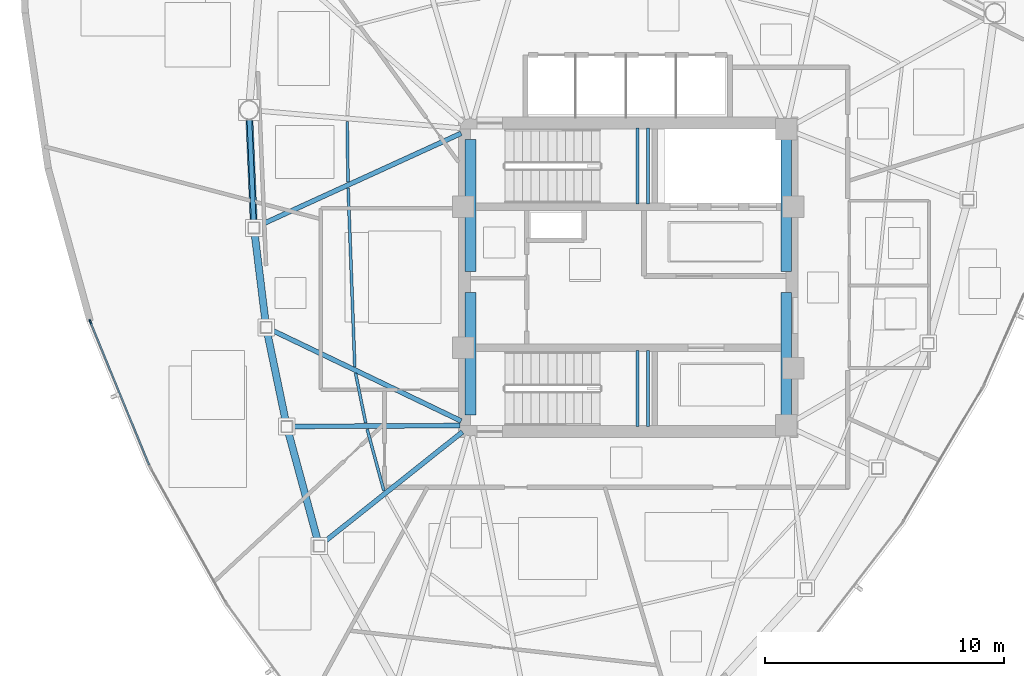
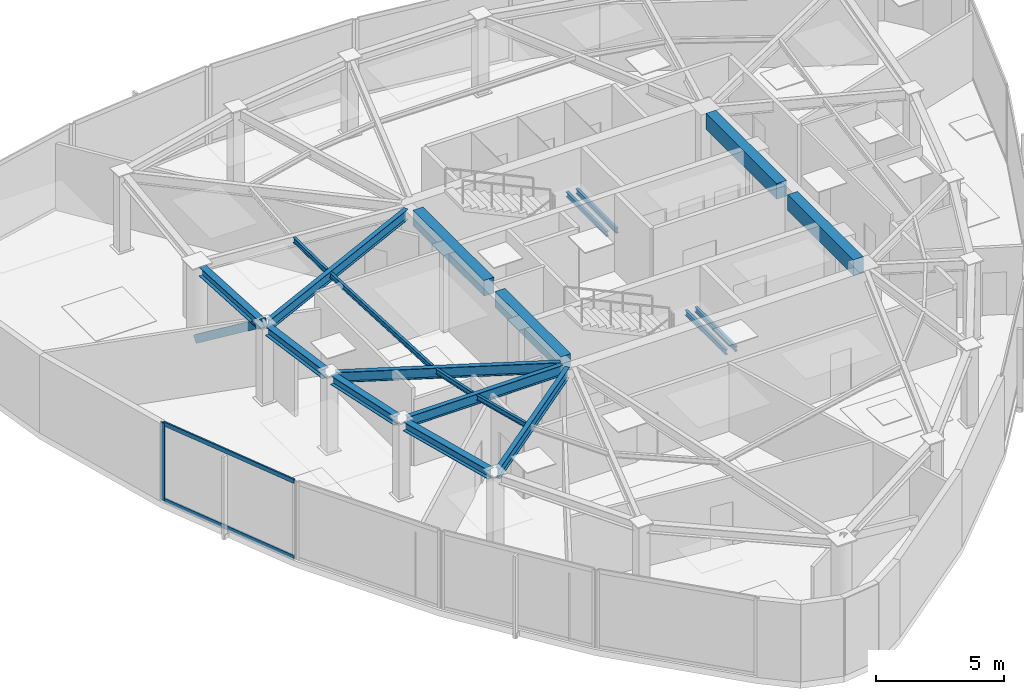
# One storey, part 3 of 12: 20 beams, 4 members, 1 element without a shape of its own.
"""IFC4 building model written with IfcOpenShell, lengths in metres."""

from ifc_helpers import new_model, si_unit, direction, frame, origin, origin_2d, place, context, subcontext, project, spatial, rectangle, hollow_rectangle, i_section, extrude, source, transform, mapped, material, layer, layer_set, material_profile, profile_set, type_object, type_shapes, element, aggregate, save


model = new_model("IFC4")

# Units and contexts
model_context = context("Model", 3, precision=1e-05, world=origin(), true_north=direction((0.0, 1.0)))
body_context = subcontext(model_context, "Body", "Model", "MODEL_VIEW")
ifc_project = project(units=[si_unit("LENGTHUNIT", "METRE"), si_unit("AREAUNIT", "SQUARE_METRE"), si_unit("VOLUMEUNIT", "CUBIC_METRE"), si_unit("PLANEANGLEUNIT", "RADIAN"), si_unit("MASSUNIT", "GRAM", prefix="KILO")], contexts=[model_context])

# Site, building, storey
site_placement = place(None, origin())
site = spatial("IfcSite", under=ifc_project, at=site_placement, CompositionType="ELEMENT")
building_placement = place(site_placement, origin())
building = spatial("IfcBuilding", under=site, at=building_placement, Name="Tavelor Broadcast Tower", CompositionType="ELEMENT")
storey_placement = place(building_placement, frame((0.0, 0.0, 277.5)))
storey = spatial("IfcBuildingStorey", under=building, at=storey_placement, Name="L66", CompositionType="ELEMENT", Elevation=277.5)

# Beams
ifc_material_1 = material(Name="Concrete C40/50", Category="concrete")
ifc_material_profile_1 = material_profile(ifc_material_1, rectangle(XDim=0.449951171875, YDim=0.75, at=origin_2d()), Name="RC 450x750")
ifc_profile_set_1 = profile_set([ifc_material_profile_1], Name="Concrete C40/50")
beam_type_1 = type_object("IfcBeamType", Name="Basement Core Trim Beam 450x750", PredefinedType="BEAM", material=ifc_profile_set_1)
for number, where, z_axis, x_axis, name in (
    (1, (43.39990234375, 45.23193359375, 3.324951171875), (0.0, 1.0, 0.0), (-1.0, 0.0, 0.0), "L66 Core West-N Tie Girder"),
    (2, (56.60009765625, 45.23193359375, 3.324951171875), (0.0, 1.0, 0.0), (-1.0, 0.0, 0.0), "L66 Core East-N Tie Girder"),
):
    element("IfcBeam", number, at=place(storey_placement, frame(where, z_axis=z_axis, x_axis=x_axis)), inside=storey, type_object=beam_type_1, Name=name, PredefinedType="BEAM", context=body_context, shape_type="SweptSolid", body=[
        extrude(rectangle(XDim=0.449951171875, YDim=0.75, at=origin_2d()), origin(), (0.0, 0.0, 1.0), 5.5361328125),
    ])
for number, where, z_axis, x_axis, name in (
    (3, (43.39990234375, 39.23193359375, 3.324951171875), (0.0, 1.0, 0.0), (-1.0, 0.0, 0.0), "L66 Core West-S Tie Girder"),
    (4, (56.60009765625, 39.23193359375, 3.324951171875), (0.0, 1.0, 0.0), (-1.0, 0.0, 0.0), "L66 Core East-S Tie Girder"),
):
    element("IfcBeam", number, at=place(storey_placement, frame(where, z_axis=z_axis, x_axis=x_axis)), inside=storey, type_object=beam_type_1, Name=name, PredefinedType="BEAM", context=body_context, shape_type="SweptSolid", body=[
        extrude(rectangle(XDim=0.449951171875, YDim=0.75, at=origin_2d()), origin(), (0.0, 0.0, 1.0), 5.135986328125),
    ])
ifc_material_2 = material(Name="Steel S355", Category="steel")
ifc_material_profile_2 = material_profile(ifc_material_2, i_section(OverallWidth=0.1201171875, OverallDepth=0.239990234375, WebThickness=0.006103515625, FlangeThickness=0.009765625, at=origin_2d()), Name="IPE 240")
ifc_profile_set_2 = profile_set([ifc_material_profile_2], Name="Steel S355")
beam_type_2 = type_object("IfcBeamType", Name="Composite Floor Joist T7 IPE 240", PredefinedType="JOIST", material=ifc_profile_set_2)
beam_1_placement = place(storey_placement, frame((38.241455078125, 51.514404296875, 3.580078125), z_axis=(0.013238113163, -0.999912372341, 0.0), x_axis=(0.999912372341, 0.013238113163, 0.0)))
element("IfcBeam", 5, at=beam_1_placement, inside=storey, type_object=beam_type_2, Name="L66 Secondary Composite Floor Joist 01", PredefinedType="JOIST", context=body_context, shape_type="SweptSolid", body=[
    extrude(i_section(OverallWidth=0.1201171875, OverallDepth=0.239990234375, WebThickness=0.006103515625, FlangeThickness=0.009765625, at=origin_2d()), origin(), (0.0, 0.0, 1.0), 2.526611328125),
])
beam_2_placement = place(storey_placement, frame((38.281494140625, 48.730224609375, 3.580078125), z_axis=(0.037116611217, -0.999310941185, 0.0), x_axis=(0.999310941185, 0.037116611217, 0.0)))
element("IfcBeam", 6, at=beam_2_placement, inside=storey, type_object=beam_type_2, Name="L66 Secondary Composite Floor Joist 02", PredefinedType="JOIST", context=body_context, shape_type="SweptSolid", body=[
    extrude(i_section(OverallWidth=0.1201171875, OverallDepth=0.239990234375, WebThickness=0.006103515625, FlangeThickness=0.009765625, at=origin_2d()), origin(), (0.0, 0.0, 1.0), 7.4853515625),
])
beam_3_placement = place(storey_placement, frame((38.58984375, 40.99462890625, 3.580078125), z_axis=(0.199500807381, -0.979897661929, 0.0), x_axis=(0.979897661929, 0.199500807381, 0.0)))
element("IfcBeam", 7, at=beam_3_placement, inside=storey, type_object=beam_type_2, Name="L66 Secondary Composite Floor Joist 03", PredefinedType="JOIST", context=body_context, shape_type="SweptSolid", body=[
    extrude(i_section(OverallWidth=0.1201171875, OverallDepth=0.239990234375, WebThickness=0.006103515625, FlangeThickness=0.009765625, at=origin_2d()), origin(), (0.0, 0.0, 1.0), 2.135498046875),
])
beam_4_placement = place(storey_placement, frame((39.075439453125, 38.651123046875, 3.580078125), z_axis=(0.261967616798, -0.965076664182, 0.0), x_axis=(0.965076664182, 0.261967616798, 0.0)))
element("IfcBeam", 8, at=beam_4_placement, inside=storey, type_object=beam_type_2, Name="L66 Secondary Composite Floor Joist 04", PredefinedType="JOIST", context=body_context, shape_type="SweptSolid", body=[
    extrude(i_section(OverallWidth=0.1201171875, OverallDepth=0.239990234375, WebThickness=0.006103515625, FlangeThickness=0.009765625, at=origin_2d()), origin(), (0.0, 0.0, 1.0), 2.677490234375),
])
ifc_material_profile_3 = material_profile(ifc_material_2, i_section(OverallWidth=0.300048828125, OverallDepth=0.43994140625, WebThickness=0.011474609375, FlangeThickness=0.02099609375, at=origin_2d()), Name="HEA 450")
ifc_profile_set_3 = profile_set([ifc_material_profile_3], Name="Steel S355")
beam_type_3 = type_object("IfcBeamType", Name="Perimeter Spandrel Beam T7 HEA 450", PredefinedType="SPANDREL", material=ifc_profile_set_3)
beam_5_placement = place(storey_placement, frame((34.151123046875, 51.60595703125, 3.47998046875), z_axis=(0.041873296911, -0.999122928876, 0.0), x_axis=(0.999122928876, 0.041873296911, 0.0)))
element("IfcBeam", 9, at=beam_5_placement, inside=storey, type_object=beam_type_3, Name="L66 Framed-Tube Ring Spandrel 01", PredefinedType="SPANDREL", context=body_context, shape_type="SweptSolid", body=[
    extrude(i_section(OverallWidth=0.300048828125, OverallDepth=0.43994140625, WebThickness=0.011474609375, FlangeThickness=0.02099609375, at=origin_2d()), origin(), (0.0, 0.0, 1.0), 4.30859375),
])
beam_6_placement = place(storey_placement, frame((34.370849609375, 46.822998046875, 3.47998046875), z_axis=(0.122301764237, -0.992492961418, 0.0), x_axis=(0.992492961418, 0.122301764237, 0.0)))
element("IfcBeam", 10, at=beam_6_placement, inside=storey, type_object=beam_type_3, Name="L66 Framed-Tube Ring Spandrel 02", PredefinedType="SPANDREL", context=body_context, shape_type="SweptSolid", body=[
    extrude(i_section(OverallWidth=0.300048828125, OverallDepth=0.43994140625, WebThickness=0.011474609375, FlangeThickness=0.02099609375, at=origin_2d()), origin(), (0.0, 0.0, 1.0), 3.7109375),
])
beam_7_placement = place(storey_placement, frame((34.903076171875, 42.666748046875, 3.47998046875), z_axis=(0.203665911817, -0.979040446746, 0.0), x_axis=(0.979040446746, 0.203665911817, 0.0)))
element("IfcBeam", 11, at=beam_7_placement, inside=storey, type_object=beam_type_3, Name="L66 Framed-Tube Ring Spandrel 03", PredefinedType="SPANDREL", context=body_context, shape_type="SweptSolid", body=[
    extrude(i_section(OverallWidth=0.300048828125, OverallDepth=0.43994140625, WebThickness=0.011474609375, FlangeThickness=0.02099609375, at=origin_2d()), origin(), (0.0, 0.0, 1.0), 3.753173828125),
])
beam_8_placement = place(storey_placement, frame((35.779296875, 38.525390625, 3.47998046875), z_axis=(0.261032085305, -0.965330125108, 0.0), x_axis=(0.965330125108, 0.261032085305, 0.0)))
element("IfcBeam", 12, at=beam_8_placement, inside=storey, type_object=beam_type_3, Name="L66 Framed-Tube Ring Spandrel 04", PredefinedType="SPANDREL", context=body_context, shape_type="SweptSolid", body=[
    extrude(i_section(OverallWidth=0.300048828125, OverallDepth=0.43994140625, WebThickness=0.011474609375, FlangeThickness=0.02099609375, at=origin_2d()), origin(), (0.0, 0.0, 1.0), 4.697021484375),
])

# Member
ifc_material_profile_4 = material_profile(ifc_material_2, hollow_rectangle(XDim=0.199951171875, YDim=0.35009765625, WallThickness=0.01611328125, at=origin_2d()), Name="RHS 350x200x16")
ifc_profile_set_4 = profile_set([ifc_material_profile_4], Name="Steel S355")
member_type_1 = type_object("IfcMemberType", Name="Perimeter Tube Brace T7 RHS 350x200x16", PredefinedType="BRACE", material=ifc_profile_set_4)
member_1_placement = place(storey_placement, frame((34.134765625, 51.995849609375, 0.0), z_axis=(0.033508994779, -0.799626685339, 0.599561766095), x_axis=(0.999123106787, 0.041869051625, 0.0)))
element("IfcMember", 13, at=member_1_placement, inside=storey, type_object=member_type_1, Name="L66 Corner Tube Diagonal Brace 1", PredefinedType="BRACE", context=body_context, shape_type="SweptSolid", body=[
    extrude(hollow_rectangle(XDim=0.199951171875, YDim=0.35009765625, WallThickness=0.01611328125, at=origin_2d()), origin(), (0.0, 0.0, 1.0), 6.171142578125),
])

# Beams
ifc_material_profile_5 = material_profile(ifc_material_2, i_section(OverallWidth=0.199951171875, OverallDepth=0.5, WebThickness=0.01025390625, FlangeThickness=0.01611328125, at=origin_2d()), Name="IPE 500")
ifc_profile_set_5 = profile_set([ifc_material_profile_5], Name="Steel S355")
beam_type_4 = type_object("IfcBeamType", Name="Radial Floor Girder T7 IPE 500", PredefinedType="BEAM", material=ifc_profile_set_5)
beam_9_placement = place(storey_placement, frame((43.007080078125, 51.0205078125, 3.449951171875), z_axis=(-0.909555398284, -0.415582696285, 0.0), x_axis=(0.415582696285, -0.909555398284, 0.0)))
element("IfcBeam", 14, at=beam_9_placement, inside=storey, type_object=beam_type_4, Name="L66 Radial Primary Floor Girder 02", PredefinedType="BEAM", context=body_context, shape_type="SweptSolid", body=[
    extrude(i_section(OverallWidth=0.199951171875, OverallDepth=0.5, WebThickness=0.01025390625, FlangeThickness=0.01611328125, at=origin_2d()), origin(), (0.0, 0.0, 1.0), 9.287353515625),
])
beam_10_placement = place(storey_placement, frame((43.010498046875, 38.98681640625, 3.449951171875), z_axis=(-0.901529113374, 0.432718450888, 0.0), x_axis=(-0.432718450888, -0.901529113374, 0.0)))
element("IfcBeam", 15, at=beam_10_placement, inside=storey, type_object=beam_type_4, Name="L66 Radial Primary Floor Girder 03", PredefinedType="BEAM", context=body_context, shape_type="SweptSolid", body=[
    extrude(i_section(OverallWidth=0.199951171875, OverallDepth=0.5, WebThickness=0.01025390625, FlangeThickness=0.01611328125, at=origin_2d()), origin(), (0.0, 0.0, 1.0), 8.80712890625),
])
beam_11_placement = place(storey_placement, frame((42.968017578125, 38.797607421875, 3.449951171875), z_axis=(-0.999984286501, -0.005605956688, 0.0), x_axis=(0.005605956688, -0.999984286501, 0.0)))
element("IfcBeam", 16, at=beam_11_placement, inside=storey, type_object=beam_type_4, Name="L66 Radial Primary Floor Girder 04", PredefinedType="BEAM", context=body_context, shape_type="SweptSolid", body=[
    extrude(i_section(OverallWidth=0.199951171875, OverallDepth=0.5, WebThickness=0.01025390625, FlangeThickness=0.01611328125, at=origin_2d()), origin(), (0.0, 0.0, 1.0), 7.011474609375),
])
beam_12_placement = place(storey_placement, frame((43.06201171875, 38.531005859375, 3.449951171875), z_axis=(-0.782384634469, -0.622795539279, 0.0), x_axis=(0.622795539279, -0.782384634469, 0.0)))
element("IfcBeam", 17, at=beam_12_placement, inside=storey, type_object=beam_type_4, Name="L66 Radial Primary Floor Girder 05", PredefinedType="BEAM", context=body_context, shape_type="SweptSolid", body=[
    extrude(i_section(OverallWidth=0.199951171875, OverallDepth=0.5, WebThickness=0.01025390625, FlangeThickness=0.01611328125, at=origin_2d()), origin(), (0.0, 0.0, 1.0), 7.421142578125),
])
ifc_material_profile_6 = material_profile(ifc_material_2, i_section(OverallWidth=0.1201171875, OverallDepth=0.239990234375, WebThickness=0.006103515625, FlangeThickness=0.009765625, at=origin_2d()), Name="IPE 240")
ifc_profile_set_6 = profile_set([ifc_material_profile_6], Name="Steel S355")
beam_type_5 = type_object("IfcBeamType", Name="Stairwell Landing Support Trimmer Beam IPE240", PredefinedType="BEAM", material=ifc_profile_set_6)
for number, where, z_axis, x_axis, name in (
    (18, (50.385009765625, 48.06005859375, 1.68505859375), (0.0, 1.0, 0.0), (-1.0, 0.0, 0.0), "L66 Stair Landing Support Beam 173"),
    (19, (50.824951171875, 48.06005859375, 1.68505859375), (0.0, 1.0, 0.0), (-1.0, 0.0, 0.0), "L66 Stair Landing Support Beam 174"),
    (20, (50.385009765625, 38.760009765625, 1.68505859375), (0.0, 1.0, 0.0), (-1.0, 0.0, 0.0), "L66 Stair Landing Support Beam 387"),
    (21, (50.824951171875, 38.760009765625, 1.68505859375), (0.0, 1.0, 0.0), (-1.0, 0.0, 0.0), "L66 Stair Landing Support Beam 388"),
):
    element("IfcBeam", number, at=place(storey_placement, frame(where, z_axis=z_axis, x_axis=x_axis)), inside=storey, type_object=beam_type_5, Name=name, PredefinedType="BEAM", context=body_context, shape_type="SweptSolid", body=[
        extrude(i_section(OverallWidth=0.1201171875, OverallDepth=0.239990234375, WebThickness=0.006103515625, FlangeThickness=0.009765625, at=origin_2d()), origin(), (0.0, 0.0, 1.0), 3.179931640625),
    ])

# Curtain wall, members
ifc_material_3 = material(Name="Architectural Anodized Aluminium", Category="aluminium")
ifc_layer = layer(ifc_material_3, 0.199951171875)
ifc_layer_set = layer_set([ifc_layer], Name="Architectural Anodized Aluminium")
curtain_wall_type = type_object("IfcCurtainWallType", Name="Tower High-Zone Triple-Glazed Curtain Wall CW04", PredefinedType="NOTDEFINED", material=ifc_layer_set)
curtain_wall_placement = place(storey_placement, origin())
curtain_wall = element("IfcCurtainWall", 22, at=curtain_wall_placement, inside=storey, type_object=curtain_wall_type, Name="L66 Curtain Wall CW04 Run 721", PredefinedType="NOTDEFINED")
ifc_material_profile_7 = material_profile(ifc_material_3, hollow_rectangle(XDim=0.070068359375, YDim=0.199951171875, WallThickness=0.02197265625, at=origin_2d()), Name="RHS 70x200x22")
ifc_profile_set_7 = profile_set([ifc_material_profile_7], Name="Architectural Anodized Aluminium")
member_type_2 = type_object("IfcMemberType", Name="CW04 Extruded Aluminium Mullion 70x200", PredefinedType="MULLION", material=ifc_profile_set_7)
shared_shape_1 = source(origin(), body_context, "Body", "SweptSolid", [
    extrude(hollow_rectangle(XDim=0.070068359375, YDim=0.199951171875, WallThickness=0.02197265625, at=origin_2d()), origin(), (0.0, 0.0, 1.0), 3.699951171875),
])
type_shapes(member_type_2, [shared_shape_1])
member_2_placement = place(storey_placement, frame((27.498291015625, 43.139892578125, 0.0), z_axis=(0.0, 0.0, 1.0), x_axis=(0.925041930308, 0.379865011777, 0.0)))
member_2 = element("IfcMember", 23, at=member_2_placement, type_object=member_type_2, Name="CW04 mullion 1", PredefinedType="MULLION", context=body_context, shape_type="MappedRepresentation", body=[
    mapped(shared_shape_1, transform((0.0, 0.0, 0.0), scale=1.0)),
])
ifc_material_profile_8 = material_profile(ifc_material_3, hollow_rectangle(XDim=0.070068359375, YDim=0.199951171875, WallThickness=0.02197265625, at=origin_2d()), Name="RHS 70x200x22")
ifc_profile_set_8 = profile_set([ifc_material_profile_8], Name="Architectural Anodized Aluminium")
member_type_3 = type_object("IfcMemberType", Name="CW04 Extruded Aluminium Transom 70x200", PredefinedType="USERDEFINED", material=ifc_profile_set_8)
shared_shape_2 = source(origin(), body_context, "Body", "SweptSolid", [
    extrude(hollow_rectangle(XDim=0.070068359375, YDim=0.199951171875, WallThickness=0.02197265625, at=origin_2d()), origin(), (0.0, 0.0, 1.0), 6.444091796875),
])
type_shapes(member_type_3, [shared_shape_2])
member_3_placement = place(storey_placement, frame((27.511474609375, 43.107421875, 0.034912109375), z_axis=(0.379886435846, -0.925033132304, 0.0), x_axis=(0.925033132304, 0.379886435846, 0.0)))
member_3 = element("IfcMember", 24, at=member_3_placement, type_object=member_type_3, Name="CW04 transom 1.1", ObjectType="TRANSOM", PredefinedType="USERDEFINED", context=body_context, shape_type="MappedRepresentation", body=[
    mapped(shared_shape_2, transform((0.0, 0.0, 0.0), scale=1.0)),
])
member_4_placement = place(storey_placement, frame((27.511474609375, 43.107421875, 3.6650390625), z_axis=(0.379886435846, -0.925033132304, 0.0), x_axis=(0.925033132304, 0.379886435846, 0.0)))
member_4 = element("IfcMember", 25, at=member_4_placement, type_object=member_type_3, Name="CW04 transom 1.2", ObjectType="TRANSOM", PredefinedType="USERDEFINED", context=body_context, shape_type="MappedRepresentation", body=[
    mapped(shared_shape_2, transform((0.0, 0.0, 0.0), scale=1.0)),
])
aggregate(curtain_wall, [member_2, member_3, member_4])

save(model, "model.ifc")
